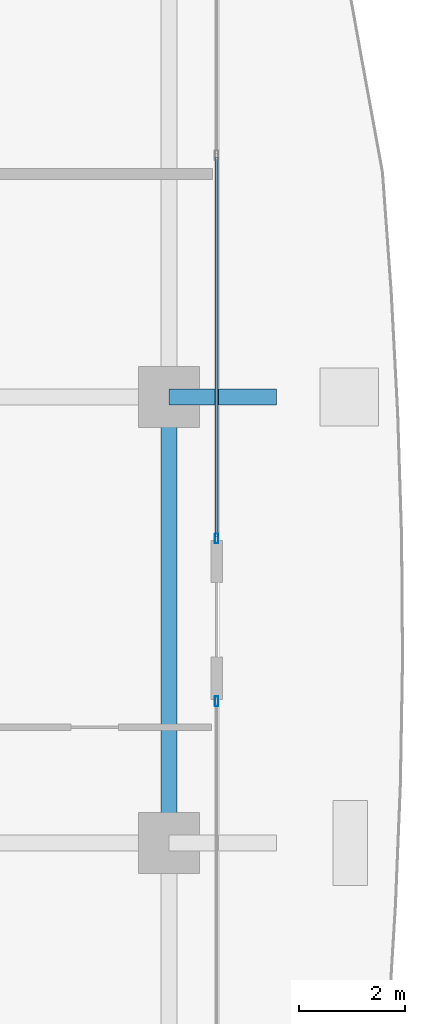
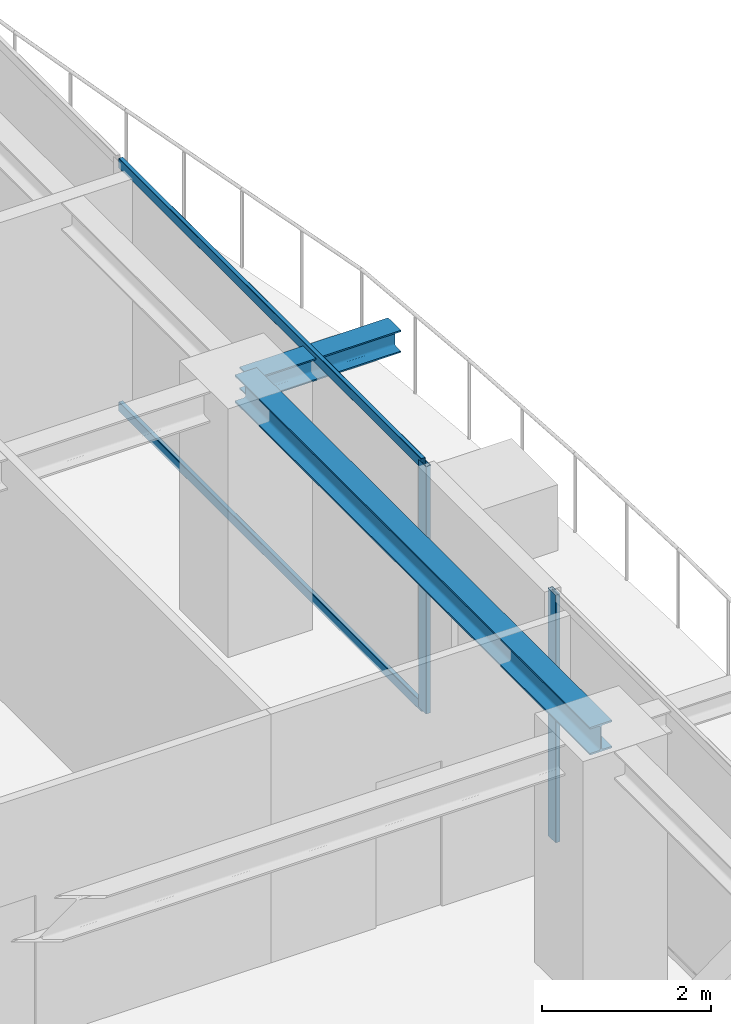
# One storey, part 15 of 37: 4 members, 2 beams, 2 elements without a shape of their own.
"""IFC4 building model written with IfcOpenShell, lengths in metres."""

from ifc_helpers import new_model, si_unit, direction, frame, origin, origin_2d, place, context, subcontext, project, spatial, hollow_rectangle, i_section, extrude, source, transform, mapped, material, layer, layer_set, material_profile, profile_set, type_object, element, aggregate, save


model = new_model("IFC4")

# Units and contexts
model_context = context("Model", 3, precision=1e-05, world=origin(), true_north=direction((0.0, 1.0)))
body_context = subcontext(model_context, "Body", "Model", "MODEL_VIEW")
ifc_project = project(units=[si_unit("LENGTHUNIT", "METRE"), si_unit("AREAUNIT", "SQUARE_METRE"), si_unit("VOLUMEUNIT", "CUBIC_METRE"), si_unit("PLANEANGLEUNIT", "RADIAN"), si_unit("MASSUNIT", "GRAM", prefix="KILO")], contexts=[model_context])

# Site, building, storey
site_placement = place(None, origin())
site = spatial("IfcSite", under=ifc_project, at=site_placement, CompositionType="ELEMENT")
building_placement = place(site_placement, origin())
building = spatial("IfcBuilding", under=site, at=building_placement, Name="Serunith Strait Residences", CompositionType="ELEMENT")
storey_placement = place(building_placement, frame((0.0, 0.0, 248.949951171875)))
storey = spatial("IfcBuildingStorey", under=building, at=storey_placement, Name="L62", CompositionType="ELEMENT", Elevation=248.949951171875)

# Beams
ifc_material_1 = material(Name="Steel S355J2", Category="steel")
ifc_material_profile_1 = material_profile(ifc_material_1, i_section(OverallWidth=0.300048828125, OverallDepth=0.39990234375, WebThickness=0.013427734375, FlangeThickness=0.02392578125, FilletRadius=0.027099609375, at=origin_2d()), Name="HEB 400")
ifc_profile_set_1 = profile_set([ifc_material_profile_1], Name="Steel S355J2")
beam_type_1 = type_object("IfcBeamType", Name="BM-HEB400", PredefinedType="BEAM", material=ifc_profile_set_1)
shared_shape_1 = source(origin(), body_context, "Body", "SweptSolid", [
    extrude(i_section(OverallWidth=0.300048828125, OverallDepth=0.39990234375, WebThickness=0.013427734375, FlangeThickness=0.02392578125, FilletRadius=0.027099609375, at=origin_2d()), origin(), (0.0, 0.0, 1.0), 8.39990234375),
])
beam_1_placement = place(storey_placement, frame((56.5, 21.0, 3.386962890625), z_axis=(0.0, 1.0, 0.0), x_axis=(-1.0, 0.0, 0.0)))
element("IfcBeam", 1, at=beam_1_placement, inside=storey, type_object=beam_type_1, Name="L62 Perimeter Ring Beam 06", PredefinedType="BEAM", context=body_context, shape_type="MappedRepresentation", body=[
    mapped(shared_shape_1, transform((0.0, 0.0, 0.0), scale=1.0)),
])
ifc_material_profile_2 = material_profile(ifc_material_1, i_section(OverallWidth=0.300048828125, OverallDepth=0.320068359375, WebThickness=0.011474609375, FlangeThickness=0.0205078125, FilletRadius=0.027099609375, at=origin_2d()), Name="HEB 320")
ifc_profile_set_2 = profile_set([ifc_material_profile_2], Name="Steel S355J2")
beam_type_2 = type_object("IfcBeamType", Name="BM-HEB320", PredefinedType="BEAM", material=ifc_profile_set_2)
shared_shape_2 = source(origin(), body_context, "Body", "SweptSolid", [
    extrude(i_section(OverallWidth=0.300048828125, OverallDepth=0.320068359375, WebThickness=0.011474609375, FlangeThickness=0.0205078125, FilletRadius=0.027099609375, at=origin_2d()), origin(), (0.0, 0.0, 1.0), 2.030029296875),
])
beam_2_placement = place(storey_placement, frame((56.5, 29.39990234375, 3.39697265625), z_axis=(1.0, 0.0, 0.0), x_axis=(0.0, 1.0, 0.0)))
element("IfcBeam", 2, at=beam_2_placement, inside=storey, type_object=beam_type_2, Name="L63 Cantilevered Balcony Rib TC-E3", PredefinedType="BEAM", context=body_context, shape_type="MappedRepresentation", body=[
    mapped(shared_shape_2, transform((0.0, 0.0, 0.0), scale=1.0)),
])

# Curtain wall, member
ifc_material_2 = material(Name="Pale-Champagne Anodised Aluminium", Category="aluminium")
ifc_layer = layer(ifc_material_2, 0.199951171875, Name="Pale-Champagne Anodised Aluminium")
ifc_layer_set = layer_set([ifc_layer], Name="Pale-Champagne Anodised Aluminium")
curtain_wall_type = type_object("IfcCurtainWallType", Name="CW-SYS4", PredefinedType="NOTDEFINED", material=ifc_layer_set)
curtain_wall_1_placement = place(storey_placement, origin())
curtain_wall_1 = element("IfcCurtainWall", 3, at=curtain_wall_1_placement, inside=storey, type_object=curtain_wall_type, Name="L62 E Unitised Fritted Curtain Wall", PredefinedType="NOTDEFINED")
ifc_material_profile_3 = material_profile(ifc_material_2, hollow_rectangle(XDim=0.06494140625, YDim=0.179931640625, WallThickness=0.00341796875, InnerFilletRadius=0.00537109375, OuterFilletRadius=0.0087890625, at=origin_2d()), Name="ALU 180x65x3.5")
ifc_profile_set_3 = profile_set([ifc_material_profile_3], Name="Pale-Champagne Anodised Aluminium")
member_type_1 = type_object("IfcMemberType", Name="CW-SYS4-MULL", PredefinedType="MULLION", material=ifc_profile_set_3)
shared_shape_3 = source(origin(), body_context, "Body", "SweptSolid", [
    extrude(hollow_rectangle(XDim=0.06494140625, YDim=0.179931640625, WallThickness=0.00341796875, InnerFilletRadius=0.00537109375, OuterFilletRadius=0.0087890625, at=origin_2d()), origin(), (0.0, 0.0, 1.0), 3.574951171875),
])
member_1_placement = place(storey_placement, frame((57.39990234375, 23.66748046875, 0.0), z_axis=(0.0, 0.0, 1.0), x_axis=(-1.0, 0.0, 0.0)))
member_1 = element("IfcMember", 4, at=member_1_placement, type_object=member_type_1, Name="CW-4 mullion 3", PredefinedType="MULLION", context=body_context, shape_type="MappedRepresentation", body=[
    mapped(shared_shape_3, transform((0.0, 0.0, 0.0), scale=1.0)),
])
aggregate(curtain_wall_1, [member_1])

# Curtain wall, members
curtain_wall_2_placement = place(storey_placement, origin())
curtain_wall_2 = element("IfcCurtainWall", 5, at=curtain_wall_2_placement, inside=storey, type_object=curtain_wall_type, Name="L62 E Unitised Fritted Curtain Wall", PredefinedType="NOTDEFINED")
member_2_placement = place(storey_placement, frame((57.39990234375, 26.732421875, 0.0), z_axis=(0.0, 0.0, 1.0), x_axis=(-1.0, 0.0, 0.0)))
member_2 = element("IfcMember", 6, at=member_2_placement, type_object=member_type_1, Name="CW-4 mullion 1", PredefinedType="MULLION", context=body_context, shape_type="MappedRepresentation", body=[
    mapped(shared_shape_3, transform((0.0, 0.0, 0.0), scale=1.0)),
])
ifc_material_profile_4 = material_profile(ifc_material_2, hollow_rectangle(XDim=0.06005859375, YDim=0.139892578125, WallThickness=0.00341796875, InnerFilletRadius=0.00537109375, OuterFilletRadius=0.0087890625, at=origin_2d()), Name="ALU 140x60x3.5")
ifc_profile_set_4 = profile_set([ifc_material_profile_4], Name="Pale-Champagne Anodised Aluminium")
member_type_2 = type_object("IfcMemberType", Name="CW-SYS4-TRAN", PredefinedType="USERDEFINED", material=ifc_profile_set_4)
shared_shape_4 = source(origin(), body_context, "Body", "SweptSolid", [
    extrude(hollow_rectangle(XDim=0.06005859375, YDim=0.139892578125, WallThickness=0.00341796875, InnerFilletRadius=0.00537109375, OuterFilletRadius=0.0087890625, at=origin_2d()), origin(), (0.0, 0.0, 1.0), 7.152587890625),
])
member_3_placement = place(storey_placement, frame((57.39990234375, 26.764892578125, 0.030029296875), z_axis=(0.0, 1.0, 0.0), x_axis=(-1.0, 0.0, 0.0)))
member_3 = element("IfcMember", 7, at=member_3_placement, type_object=member_type_2, Name="CW-4 transom 1.1", ObjectType="TRANSOM", PredefinedType="USERDEFINED", context=body_context, shape_type="MappedRepresentation", body=[
    mapped(shared_shape_4, transform((0.0, 0.0, 0.0), scale=1.0)),
])
member_4_placement = place(storey_placement, frame((57.39990234375, 26.764892578125, 3.545166015625), z_axis=(0.0, 1.0, 0.0), x_axis=(-1.0, 0.0, 0.0)))
member_4 = element("IfcMember", 8, at=member_4_placement, type_object=member_type_2, Name="CW-4 transom 1.2", ObjectType="TRANSOM", PredefinedType="USERDEFINED", context=body_context, shape_type="MappedRepresentation", body=[
    mapped(shared_shape_4, transform((0.0, 0.0, 0.0), scale=1.0)),
])
aggregate(curtain_wall_2, [member_2, member_3, member_4])

save(model, "model.ifc")
